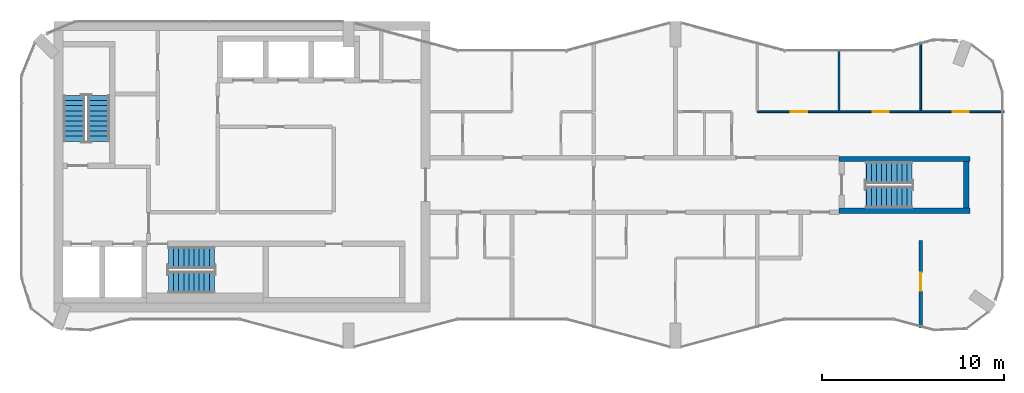
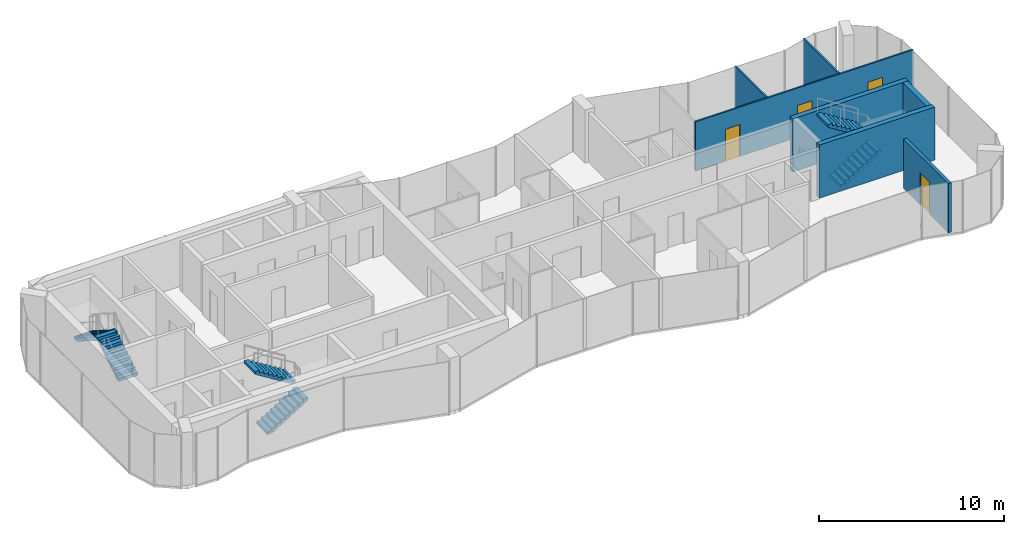
# One storey, part 9 of 10: 7 walls, 6 stair flights, 4 doors, 4 openings, 3 elements without a shape of their own.
"""IFC4 building model written with IfcOpenShell, lengths in metres."""

from ifc_helpers import new_model, si_unit, direction, frame, frame_2d, origin, place, context, subcontext, project, spatial, polyline, rectangle, outline, extrude, material, layer, layer_set, type_object, element, fill, aggregate, save


model = new_model("IFC4")

# Units and contexts
model_context = context("Model", 3, precision=1e-05, world=origin(), true_north=direction((0.0, 1.0)))
body_context = subcontext(model_context, "Body", "Model", "MODEL_VIEW")
ifc_project = project(units=[si_unit("LENGTHUNIT", "METRE"), si_unit("AREAUNIT", "SQUARE_METRE"), si_unit("VOLUMEUNIT", "CUBIC_METRE"), si_unit("PLANEANGLEUNIT", "RADIAN"), si_unit("MASSUNIT", "GRAM", prefix="KILO")], contexts=[model_context])

# Site, building, storey
site_placement = place(None, origin())
site = spatial("IfcSite", under=ifc_project, at=site_placement, CompositionType="ELEMENT")
building_placement = place(site_placement, origin())
building = spatial("IfcBuilding", under=site, at=building_placement, Name="Plateau Cross Towers", CompositionType="ELEMENT")
storey_placement = place(building_placement, frame((0.0, 0.0, 249.39990234375)))
storey = spatial("IfcBuildingStorey", under=building, at=storey_placement, Name="L65", CompositionType="ELEMENT", Elevation=249.39990234375)

# Wall, openings, doors
ifc_material_1 = material(Name="Gypsum board on steel studs", Category="steel")
ifc_layer_1 = layer(ifc_material_1, 0.10009765625)
ifc_layer_set_1 = layer_set([ifc_layer_1], Name="Gypsum board on steel studs")
wall_type_1 = type_object("IfcWallType", Name="Flat partition 100", PredefinedType="PARTITIONING", material=ifc_layer_set_1)
wall_1_placement = place(storey_placement, frame((40.5, 13.02490234375, 0.0), z_axis=(0.0, 0.0, 1.0), x_axis=(1.0, 0.0, 0.0)))
wall_1 = element("IfcWall", 1, at=wall_1_placement, inside=storey, type_object=wall_type_1, Name="Partition wall", PredefinedType="PARTITIONING", context=body_context, shape_type="SweptSolid", body=[
    extrude(rectangle(XDim=13.580078125, YDim=0.10009765625, at=frame_2d((6.7900390625, 0.0))), origin(), (0.0, 0.0, 1.0), 3.25),
])
opening_1_placement = place(wall_1_placement, frame((1.85009765625, 0.0, 0.0)))
opening_1 = element("IfcOpeningElement", 2, at=opening_1_placement, cuts=wall_1, Name="Opening 65-21", PredefinedType="OPENING", context=body_context, shape_type="SweptSolid", body=[
    extrude(rectangle(XDim=0.89990234375, YDim=2.10009765625, at=frame_2d((0.449951171875, 1.050048828125))), frame((0.0, 0.06005859375, 0.0), z_axis=(0.0, -1.0, 0.0), x_axis=(1.0, 0.0, 0.0)), (0.0, 0.0, 1.0), 0.1201171875),
])
opening_2_placement = place(wall_1_placement, frame((6.35009765625, 0.0, 0.0)))
opening_2 = element("IfcOpeningElement", 3, at=opening_2_placement, cuts=wall_1, Name="Opening 65-22", PredefinedType="OPENING", context=body_context, shape_type="SweptSolid", body=[
    extrude(rectangle(XDim=0.89990234375, YDim=2.10009765625, at=frame_2d((0.449951171875, 1.050048828125))), frame((0.0, 0.06005859375, 0.0), z_axis=(0.0, -1.0, 0.0), x_axis=(1.0, 0.0, 0.0)), (0.0, 0.0, 1.0), 0.1201171875),
])
opening_3_placement = place(wall_1_placement, frame((10.75, 0.0, 0.0)))
opening_3 = element("IfcOpeningElement", 4, at=opening_3_placement, cuts=wall_1, Name="Opening 65-23", PredefinedType="OPENING", context=body_context, shape_type="SweptSolid", body=[
    extrude(rectangle(XDim=0.89990234375, YDim=2.10009765625, at=frame_2d((0.449951171875, 1.050048828125))), frame((0.0, 0.06005859375, 0.0), z_axis=(0.0, -1.0, 0.0), x_axis=(1.0, 0.0, 0.0)), (0.0, 0.0, 1.0), 0.1201171875),
])
ifc_material_2 = material(Name="Timber leaf", Category="wood")
door_type_1 = type_object("IfcDoorType", Name="Flat room door 900", OperationType="NOTDEFINED", PredefinedType="DOOR", material=ifc_material_2)
door_1_placement = place(opening_1_placement, origin())
door_1 = element("IfcDoor", 5, at=door_1_placement, inside=storey, type_object=door_type_1, Name="Door 65-21", OperationType="SINGLE_SWING_LEFT", OverallHeight=2.10009765625, OverallWidth=0.89990234375, PredefinedType="DOOR", context=body_context, shape_type="SweptSolid", body=[
    extrude(rectangle(XDim=0.89990234375, YDim=2.10009765625, at=frame_2d((0.449951171875, 1.050048828125))), frame((0.0, 0.02490234375, 0.0), z_axis=(0.0, -1.0, 0.0), x_axis=(1.0, 0.0, 0.0)), (0.0, 0.0, 1.0), 0.050048828125),
])
fill(opening_1, door_1)
door_2_placement = place(opening_2_placement, origin())
door_2 = element("IfcDoor", 6, at=door_2_placement, inside=storey, type_object=door_type_1, Name="Door 65-22", OperationType="SINGLE_SWING_RIGHT", OverallHeight=2.10009765625, OverallWidth=0.89990234375, PredefinedType="DOOR", context=body_context, shape_type="SweptSolid", body=[
    extrude(rectangle(XDim=0.89990234375, YDim=2.10009765625, at=frame_2d((0.449951171875, 1.050048828125))), frame((0.0, 0.02490234375, 0.0), z_axis=(0.0, -1.0, 0.0), x_axis=(1.0, 0.0, 0.0)), (0.0, 0.0, 1.0), 0.050048828125),
])
fill(opening_2, door_2)
door_3_placement = place(opening_3_placement, origin())
door_3 = element("IfcDoor", 7, at=door_3_placement, inside=storey, type_object=door_type_1, Name="Door 65-23", OperationType="SINGLE_SWING_RIGHT", OverallHeight=2.10009765625, OverallWidth=0.89990234375, PredefinedType="DOOR", context=body_context, shape_type="SweptSolid", body=[
    extrude(rectangle(XDim=0.89990234375, YDim=2.10009765625, at=frame_2d((0.449951171875, 1.050048828125))), frame((0.0, 0.02490234375, 0.0), z_axis=(0.0, -1.0, 0.0), x_axis=(1.0, 0.0, 0.0)), (0.0, 0.0, 1.0), 0.050048828125),
])
fill(opening_3, door_3)

# Walls
wall_2_placement = place(storey_placement, frame((45.0, 13.074951171875, 0.0), z_axis=(0.0, 0.0, 1.0), x_axis=(0.0, 1.0, 0.0)))
element("IfcWall", 8, at=wall_2_placement, inside=storey, type_object=wall_type_1, Name="Partition wall", PredefinedType="PARTITIONING", context=body_context, shape_type="SweptSolid", body=[
    extrude(rectangle(XDim=3.398193359375, YDim=0.10009765625, at=frame_2d((1.69921875, 0.0))), origin(), (0.0, 0.0, 1.0), 3.25),
])
wall_3_placement = place(storey_placement, frame((49.5, 13.074951171875, 0.0), z_axis=(0.0, 0.0, 1.0), x_axis=(0.0, 1.0, 0.0)))
element("IfcWall", 9, at=wall_3_placement, inside=storey, type_object=wall_type_1, Name="Partition wall", PredefinedType="PARTITIONING", context=body_context, shape_type="SweptSolid", body=[
    extrude(rectangle(XDim=3.802734375, YDim=0.10009765625, at=frame_2d((1.9013671875, 0.0))), origin(), (0.0, 0.0, 1.0), 3.25),
])

# Wall, opening, door
ifc_material_3 = material(Name="Gypsum board on steel studs, two layers each side", Category="steel")
ifc_layer_2 = layer(ifc_material_3, 0.199951171875)
ifc_layer_set_2 = layer_set([ifc_layer_2], Name="Gypsum board on steel studs, two layers each side")
wall_type_2 = type_object("IfcWallType", Name="Flat party wall 200", PredefinedType="PARTITIONING", material=ifc_layer_set_2)
wall_4_placement = place(storey_placement, frame((49.5, 1.122314453125, 0.0), z_axis=(0.0, 0.0, 1.0), x_axis=(0.0, 1.0, 0.0)))
wall_4 = element("IfcWall", 10, at=wall_4_placement, inside=storey, type_object=wall_type_2, Name="Party wall", PredefinedType="PARTITIONING", context=body_context, shape_type="SweptSolid", body=[
    extrude(rectangle(XDim=4.82763671875, YDim=0.199951171875, at=frame_2d((2.413818359375, 0.0))), origin(), (0.0, 0.0, 1.0), 3.25),
])
opening_4_placement = place(wall_4_placement, frame((2.050048828125, 0.0, 0.0)))
opening_4 = element("IfcOpeningElement", 11, at=opening_4_placement, cuts=wall_4, Name="Opening 65-10", PredefinedType="OPENING", context=body_context, shape_type="SweptSolid", body=[
    extrude(rectangle(XDim=1.0, YDim=2.10009765625, at=frame_2d((0.5, 1.050048828125))), frame((0.0, 0.10986328125, 0.0), z_axis=(0.0, -1.0, 0.0), x_axis=(1.0, 0.0, 0.0)), (0.0, 0.0, 1.0), 0.219970703125),
])
ifc_material_4 = material(Name="Timber, fire-resisting leaf", Category="wood")
door_type_2 = type_object("IfcDoorType", Name="Flat entrance door 1000", OperationType="NOTDEFINED", PredefinedType="DOOR", material=ifc_material_4)
door_4_placement = place(opening_4_placement, origin())
door_4 = element("IfcDoor", 12, at=door_4_placement, inside=storey, type_object=door_type_2, Name="Door 65-10", OperationType="SINGLE_SWING_RIGHT", OverallHeight=2.10009765625, OverallWidth=1.0, PredefinedType="DOOR", context=body_context, shape_type="SweptSolid", body=[
    extrude(rectangle(XDim=1.0, YDim=2.10009765625, at=frame_2d((0.5, 1.050048828125))), frame((0.0, 0.02490234375, 0.0), z_axis=(0.0, -1.0, 0.0), x_axis=(1.0, 0.0, 0.0)), (0.0, 0.0, 1.0), 0.050048828125),
])
fill(opening_4, door_4)

# Walls
ifc_material_5 = material(Name="Concrete C60/75", Category="concrete")
ifc_layer_3 = layer(ifc_material_5, 0.300048828125)
ifc_layer_set_3 = layer_set([ifc_layer_3], Name="Concrete C60/75")
wall_type_3 = type_object("IfcWallType", Name="Stair tower wall 300", PredefinedType="SHEAR", material=ifc_layer_set_3)
wall_5_placement = place(storey_placement, frame((52.0, 7.72509765625, 0.0), z_axis=(0.0, 0.0, 1.0), x_axis=(0.0, 1.0, 0.0)))
element("IfcWall", 13, at=wall_5_placement, inside=storey, type_object=wall_type_3, Name="A-end-E-E@L65", PredefinedType="SHEAR", context=body_context, shape_type="SweptSolid", body=[
    extrude(rectangle(XDim=2.5498046875, YDim=0.300048828125, at=frame_2d((1.27490234375, 0.0))), origin(), (0.0, 0.0, 1.0), 3.5),
])
for number, where, z_axis, x_axis, name in (
    (14, (45.0, 7.574951171875, 0.0), (0.0, 0.0, 1.0), (1.0, 0.0, 0.0), "A-end-E-S@L65"),
    (15, (45.0, 10.425048828125, 0.0), (0.0, 0.0, 1.0), (1.0, 0.0, 0.0), "A-end-E-N@L65"),
):
    element("IfcWall", number, at=place(storey_placement, frame(where, z_axis=z_axis, x_axis=x_axis)), inside=storey, type_object=wall_type_3, Name=name, PredefinedType="SHEAR", context=body_context, shape_type="SweptSolid", body=[
        extrude(rectangle(XDim=7.199951171875, YDim=0.300048828125, at=frame_2d((3.60009765625, 0.0))), origin(), (0.0, 0.0, 1.0), 3.5),
    ])

# Stair, stair flights
ifc_material_6 = material(Name="Concrete C40/50", Category="concrete")
stair_type = type_object("IfcStairType", Name="ST-TWR", PredefinedType="HALF_TURN_STAIR", material=ifc_material_6)
stair_1_placement = place(storey_placement, origin())
stair_1 = element("IfcStair", 16, at=stair_1_placement, inside=storey, type_object=stair_type, Name="L65 Protected Exit Stair ST-1", PredefinedType="HALF_TURN_STAIR")
stair_flight_type = type_object("IfcStairFlightType", Name="SFL-RC", PredefinedType="STRAIGHT", material=ifc_material_6)
stair_flight_1_placement = place(storey_placement, frame((4.25, 11.39990234375, 0.0), z_axis=(0.0, 0.0, 1.0), x_axis=(0.0, 1.0, 0.0)))
stair_flight_1 = element("IfcStairFlight", 17, at=stair_flight_1_placement, type_object=stair_flight_type, Name="ST-1 flight 1", NumberOfRisers=10, NumberOfTreads=9, PredefinedType="STRAIGHT", RiserHeight=0.175, TreadLength=0.28, context=body_context, shape_type="SweptSolid", body=[
    extrude(outline(polyline([(-0.0048828125, -0.010009765625), (-0.0048828125, 0.0), (0.0, 0.0), (0.0, 0.175048828125), (0.280029296875, 0.175048828125), (0.280029296875, 0.35009765625), (0.56005859375, 0.35009765625), (0.56005859375, 0.52490234375), (0.840087890625, 0.52490234375), (0.840087890625, 0.699951171875), (1.1201171875, 0.699951171875), (1.1201171875, 0.875), (1.39990234375, 0.875), (1.39990234375, 1.050048828125), (1.679931640625, 1.050048828125), (1.679931640625, 1.22509765625), (1.9599609375, 1.22509765625), (1.9599609375, 1.39990234375), (2.239990234375, 1.39990234375), (2.239990234375, 1.574951171875), (2.52001953125, 1.574951171875), (2.52490234375, 1.56494140625), (2.52490234375, 1.398193359375), (2.52001953125, 1.398193359375), (0.28271484375, 0.0), (0.02001953125, 0.0), (0.02001953125, -0.010009765625), (-0.0048828125, -0.010009765625)])), frame((0.0, 0.60009765625, 0.0), z_axis=(0.0, -1.0, 0.0), x_axis=(1.0, 0.0, 0.0)), (0.0, 0.0, 1.0), 1.199951171875),
])
stair_flight_2_placement = place(storey_placement, frame((2.89990234375, 13.919921875, 1.75), z_axis=(0.0, 0.0, 1.0), x_axis=(0.0, -1.0, 0.0)))
stair_flight_2 = element("IfcStairFlight", 18, at=stair_flight_2_placement, type_object=stair_flight_type, Name="ST-1 flight 2", NumberOfRisers=10, NumberOfTreads=9, PredefinedType="STRAIGHT", RiserHeight=0.175, TreadLength=0.28, context=body_context, shape_type="SweptSolid", body=[
    extrude(outline(polyline([(-0.0048828125, -0.010009765625), (-0.0048828125, 0.0), (0.0, 0.0), (0.0, 0.175048828125), (0.280029296875, 0.175048828125), (0.280029296875, 0.35009765625), (0.56005859375, 0.35009765625), (0.56005859375, 0.52490234375), (0.840087890625, 0.52490234375), (0.840087890625, 0.699951171875), (1.1201171875, 0.699951171875), (1.1201171875, 0.875), (1.39990234375, 0.875), (1.39990234375, 1.050048828125), (1.679931640625, 1.050048828125), (1.679931640625, 1.22509765625), (1.9599609375, 1.22509765625), (1.9599609375, 1.39990234375), (2.239990234375, 1.39990234375), (2.239990234375, 1.574951171875), (2.52001953125, 1.574951171875), (2.52490234375, 1.56494140625), (2.52490234375, 1.398193359375), (2.52001953125, 1.398193359375), (0.28271484375, 0.0), (0.02001953125, 0.0), (0.02001953125, -0.010009765625), (-0.0048828125, -0.010009765625)])), frame((0.0, 0.60009765625, 0.0), z_axis=(0.0, -1.0, 0.0), x_axis=(1.0, 0.0, 0.0)), (0.0, 0.0, 1.0), 1.199951171875),
])
aggregate(stair_1, [stair_flight_1, stair_flight_2])

stair_2_placement = place(storey_placement, origin())
stair_2 = element("IfcStair", 19, at=stair_2_placement, inside=storey, type_object=stair_type, Name="L65 Protected Exit Stair ST-2", PredefinedType="HALF_TURN_STAIR")
stair_flight_3_placement = place(storey_placement, frame((8.10009765625, 3.64990234375, 0.0), z_axis=(0.0, 0.0, 1.0), x_axis=(1.0, 0.0, 0.0)))
stair_flight_3 = element("IfcStairFlight", 20, at=stair_flight_3_placement, type_object=stair_flight_type, Name="ST-2 flight 1", NumberOfRisers=10, NumberOfTreads=9, PredefinedType="STRAIGHT", RiserHeight=0.175, TreadLength=0.28, context=body_context, shape_type="SweptSolid", body=[
    extrude(outline(polyline([(-0.0048828125, -0.010009765625), (-0.0048828125, 0.0), (0.0, 0.0), (0.0, 0.175048828125), (0.280029296875, 0.175048828125), (0.280029296875, 0.35009765625), (0.56005859375, 0.35009765625), (0.56005859375, 0.52490234375), (0.840087890625, 0.52490234375), (0.840087890625, 0.699951171875), (1.1201171875, 0.699951171875), (1.1201171875, 0.875), (1.39990234375, 0.875), (1.39990234375, 1.050048828125), (1.679931640625, 1.050048828125), (1.679931640625, 1.22509765625), (1.9599609375, 1.22509765625), (1.9599609375, 1.39990234375), (2.239990234375, 1.39990234375), (2.239990234375, 1.574951171875), (2.52001953125, 1.574951171875), (2.52490234375, 1.56494140625), (2.52490234375, 1.398193359375), (2.52001953125, 1.398193359375), (0.28271484375, 0.0), (0.02001953125, 0.0), (0.02001953125, -0.010009765625), (-0.0048828125, -0.010009765625)])), frame((0.0, 0.60009765625, 0.0), z_axis=(0.0, -1.0, 0.0), x_axis=(1.0, 0.0, 0.0)), (0.0, 0.0, 1.0), 1.199951171875),
])
stair_flight_4_placement = place(storey_placement, frame((10.6201171875, 5.0, 1.75), z_axis=(0.0, 0.0, 1.0), x_axis=(-1.0, 0.0, 0.0)))
stair_flight_4 = element("IfcStairFlight", 21, at=stair_flight_4_placement, type_object=stair_flight_type, Name="ST-2 flight 2", NumberOfRisers=10, NumberOfTreads=9, PredefinedType="STRAIGHT", RiserHeight=0.175, TreadLength=0.28, context=body_context, shape_type="SweptSolid", body=[
    extrude(outline(polyline([(-0.0048828125, -0.010009765625), (-0.0048828125, 0.0), (0.0, 0.0), (0.0, 0.175048828125), (0.280029296875, 0.175048828125), (0.280029296875, 0.35009765625), (0.56005859375, 0.35009765625), (0.56005859375, 0.52490234375), (0.840087890625, 0.52490234375), (0.840087890625, 0.699951171875), (1.1201171875, 0.699951171875), (1.1201171875, 0.875), (1.39990234375, 0.875), (1.39990234375, 1.050048828125), (1.679931640625, 1.050048828125), (1.679931640625, 1.22509765625), (1.9599609375, 1.22509765625), (1.9599609375, 1.39990234375), (2.239990234375, 1.39990234375), (2.239990234375, 1.574951171875), (2.52001953125, 1.574951171875), (2.52490234375, 1.56494140625), (2.52490234375, 1.398193359375), (2.52001953125, 1.398193359375), (0.28271484375, 0.0), (0.02001953125, 0.0), (0.02001953125, -0.010009765625), (-0.0048828125, -0.010009765625)])), frame((0.0, 0.60009765625, 0.0), z_axis=(0.0, -1.0, 0.0), x_axis=(1.0, 0.0, 0.0)), (0.0, 0.0, 1.0), 1.199951171875),
])
aggregate(stair_2, [stair_flight_3, stair_flight_4])

stair_3_placement = place(storey_placement, origin())
stair_3 = element("IfcStair", 22, at=stair_3_placement, inside=storey, type_object=stair_type, Name="L65 Protected Exit Stair E", PredefinedType="HALF_TURN_STAIR")
stair_flight_5_placement = place(storey_placement, frame((46.5, 8.324951171875, 0.0), z_axis=(0.0, 0.0, 1.0), x_axis=(1.0, 0.0, 0.0)))
stair_flight_5 = element("IfcStairFlight", 23, at=stair_flight_5_placement, type_object=stair_flight_type, Name="ES-E flight 1", NumberOfRisers=10, NumberOfTreads=9, PredefinedType="STRAIGHT", RiserHeight=0.175, TreadLength=0.28, context=body_context, shape_type="SweptSolid", body=[
    extrude(outline(polyline([(-0.0048828125, -0.010009765625), (-0.0048828125, 0.0), (0.0, 0.0), (0.0, 0.175048828125), (0.280029296875, 0.175048828125), (0.280029296875, 0.35009765625), (0.56005859375, 0.35009765625), (0.56005859375, 0.52490234375), (0.840087890625, 0.52490234375), (0.840087890625, 0.699951171875), (1.1201171875, 0.699951171875), (1.1201171875, 0.875), (1.39990234375, 0.875), (1.39990234375, 1.050048828125), (1.679931640625, 1.050048828125), (1.679931640625, 1.22509765625), (1.9599609375, 1.22509765625), (1.9599609375, 1.39990234375), (2.239990234375, 1.39990234375), (2.239990234375, 1.574951171875), (2.52001953125, 1.574951171875), (2.52490234375, 1.56494140625), (2.52490234375, 1.398193359375), (2.52001953125, 1.398193359375), (0.28271484375, 0.0), (0.02001953125, 0.0), (0.02001953125, -0.010009765625), (-0.0048828125, -0.010009765625)])), frame((0.0, 0.60009765625, 0.0), z_axis=(0.0, -1.0, 0.0), x_axis=(1.0, 0.0, 0.0)), (0.0, 0.0, 1.0), 1.199951171875),
])
stair_flight_6_placement = place(storey_placement, frame((49.02001953125, 9.675048828125, 1.75), z_axis=(0.0, 0.0, 1.0), x_axis=(-1.0, 0.0, 0.0)))
stair_flight_6 = element("IfcStairFlight", 24, at=stair_flight_6_placement, type_object=stair_flight_type, Name="ES-E flight 2", NumberOfRisers=10, NumberOfTreads=9, PredefinedType="STRAIGHT", RiserHeight=0.175, TreadLength=0.28, context=body_context, shape_type="SweptSolid", body=[
    extrude(outline(polyline([(-0.0048828125, -0.010009765625), (-0.0048828125, 0.0), (0.0, 0.0), (0.0, 0.175048828125), (0.280029296875, 0.175048828125), (0.280029296875, 0.35009765625), (0.56005859375, 0.35009765625), (0.56005859375, 0.52490234375), (0.840087890625, 0.52490234375), (0.840087890625, 0.699951171875), (1.1201171875, 0.699951171875), (1.1201171875, 0.875), (1.39990234375, 0.875), (1.39990234375, 1.050048828125), (1.679931640625, 1.050048828125), (1.679931640625, 1.22509765625), (1.9599609375, 1.22509765625), (1.9599609375, 1.39990234375), (2.239990234375, 1.39990234375), (2.239990234375, 1.574951171875), (2.52001953125, 1.574951171875), (2.52490234375, 1.56494140625), (2.52490234375, 1.398193359375), (2.52001953125, 1.398193359375), (0.28271484375, 0.0), (0.02001953125, 0.0), (0.02001953125, -0.010009765625), (-0.0048828125, -0.010009765625)])), frame((0.0, 0.60009765625, 0.0), z_axis=(0.0, -1.0, 0.0), x_axis=(1.0, 0.0, 0.0)), (0.0, 0.0, 1.0), 1.199951171875),
])
aggregate(stair_3, [stair_flight_5, stair_flight_6])

save(model, "model.ifc")
